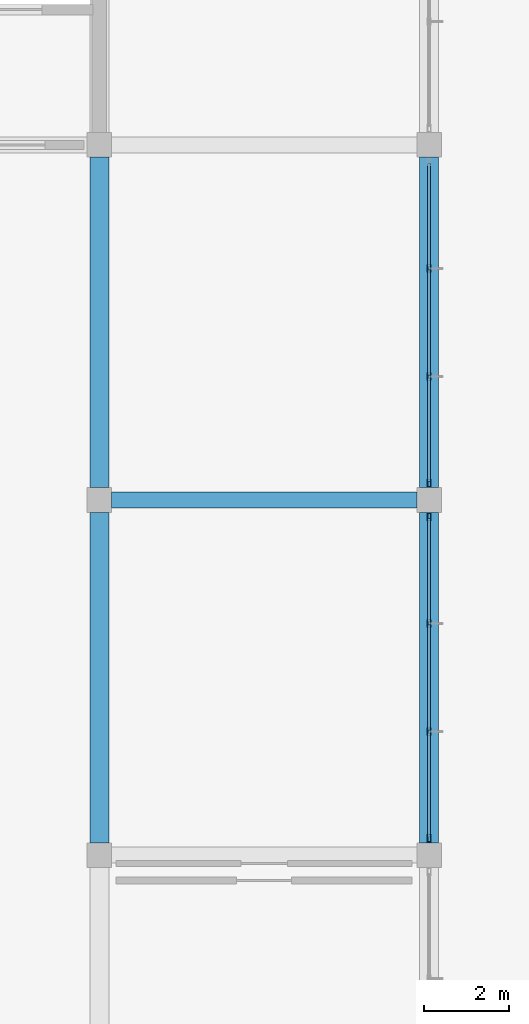
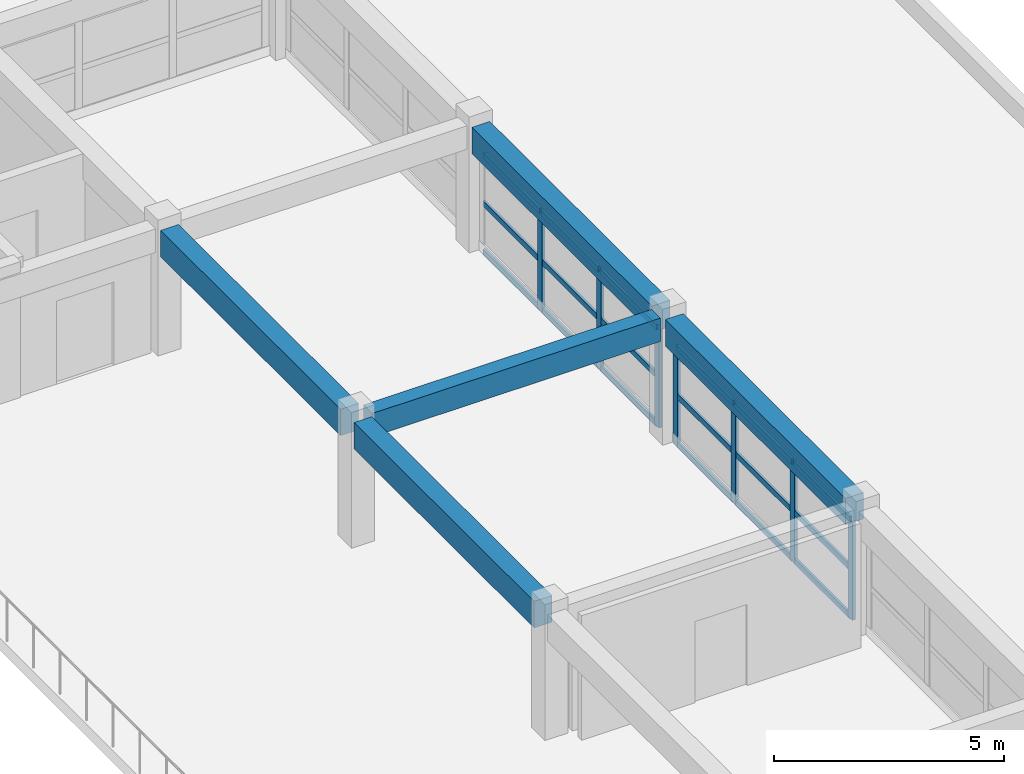
# One storey, part 64 of 101: 25 members, 5 beams, 2 elements without a shape of their own.
"""IFC4 building model written with IfcOpenShell, lengths in metres."""

from ifc_helpers import new_model, si_unit, direction, frame, origin, origin_2d, place, context, subcontext, project, spatial, rectangle, hollow_rectangle, extrude, material, layer, layer_set, material_profile, profile_set, type_object, element, aggregate, save


model = new_model("IFC4")

# Units and contexts
model_context = context("Model", 3, precision=1e-05, world=origin(), true_north=direction((0.0, 1.0)))
body_context = subcontext(model_context, "Body", "Model", "MODEL_VIEW")
ifc_project = project(units=[si_unit("LENGTHUNIT", "METRE"), si_unit("AREAUNIT", "SQUARE_METRE"), si_unit("VOLUMEUNIT", "CUBIC_METRE"), si_unit("PLANEANGLEUNIT", "RADIAN"), si_unit("MASSUNIT", "GRAM", prefix="KILO")], contexts=[model_context])

# Site, building, storey
site_placement = place(None, origin())
site = spatial("IfcSite", under=ifc_project, at=site_placement, CompositionType="ELEMENT")
building_placement = place(site_placement, origin())
building = spatial("IfcBuilding", under=site, at=building_placement, Name="Zizhar Promenade General Hospital", CompositionType="ELEMENT")
storey_placement = place(building_placement, frame((0.0, 0.0, 14.39990234375)))
storey = spatial("IfcBuildingStorey", under=building, at=storey_placement, Name="L03", CompositionType="ELEMENT", Elevation=14.39990234375)

# Beams
ifc_material_1 = material(Name="Concrete C35/45", Category="concrete")
ifc_material_profile_1 = material_profile(ifc_material_1, rectangle(XDim=0.3798828125, YDim=0.6201171875, at=origin_2d()))
ifc_profile_set_1 = profile_set([ifc_material_profile_1], Name="Concrete C35/45")
beam_type_1 = type_object("IfcBeamType", Name="BM-RC-380x620", PredefinedType="JOIST", material=ifc_profile_set_1)
beam_placement = place(storey_placement, frame((179.68994140625, 84.0, 3.0), z_axis=(1.0, 0.0, 0.0), x_axis=(0.0, 1.0, 0.0)))
element("IfcBeam", 1, at=beam_placement, inside=storey, type_object=beam_type_1, Name="Grid Beam X L03 (23-10)", PredefinedType="JOIST", context=body_context, shape_type="SweptSolid", body=[
    extrude(rectangle(XDim=0.3798828125, YDim=0.6201171875, at=origin_2d()), origin(), (0.0, 0.0, 1.0), 7.219970703125),
])
ifc_material_2 = material(Name="Concrete C35/45", Category="concrete")
ifc_material_profile_2 = material_profile(ifc_material_2, rectangle(XDim=0.449951171875, YDim=0.699951171875, at=origin_2d()))
ifc_profile_set_2 = profile_set([ifc_material_profile_2], Name="Concrete C35/45")
beam_type_2 = type_object("IfcBeamType", Name="BM-RC-450x700", PredefinedType="BEAM", material=ifc_profile_set_2)
for number, where, z_axis, x_axis, name in (
    (2, (179.39990234375, 75.889892578125, 2.960205078125), (0.0, 1.0, 0.0), (-1.0, 0.0, 0.0), "Grid Beam Y L03 (23-9)"),
    (3, (179.39990234375, 84.2900390625, 2.960205078125), (0.0, 1.0, 0.0), (-1.0, 0.0, 0.0), "Grid Beam Y L03 (23-10)"),
    (4, (187.199951171875, 75.889892578125, 2.960205078125), (0.0, 1.0, 0.0), (-1.0, 0.0, 0.0), "Grid Beam Y L03 (24-9)"),
    (5, (187.199951171875, 84.2900390625, 2.960205078125), (0.0, 1.0, 0.0), (-1.0, 0.0, 0.0), "Grid Beam Y L03 (24-10)"),
):
    element("IfcBeam", number, at=place(storey_placement, frame(where, z_axis=z_axis, x_axis=x_axis)), inside=storey, type_object=beam_type_2, Name=name, PredefinedType="BEAM", context=body_context, shape_type="SweptSolid", body=[
        extrude(rectangle(XDim=0.449951171875, YDim=0.699951171875, at=origin_2d()), origin(), (0.0, 0.0, 1.0), 7.820068359375),
    ])

# Curtain wall, members
ifc_material_3 = material(Name="Anodised aluminium 6063-T6 and low-E glass", Category="aluminium")
ifc_layer = layer(ifc_material_3, 0.159912109375)
ifc_layer_set = layer_set([ifc_layer], Name="Anodised aluminium 6063-T6 and low-E glass")
curtain_wall_type = type_object("IfcCurtainWallType", Name="CW-CLN-L03", PredefinedType="NOTDEFINED", material=ifc_layer_set)
curtain_wall_1_placement = place(storey_placement, origin())
curtain_wall_1 = element("IfcCurtainWall", 6, at=curtain_wall_1_placement, inside=storey, type_object=curtain_wall_type, Name="L03 Clinic Pavilion East Glazing 9", PredefinedType="NOTDEFINED")
ifc_material_4 = material(Name="Anodised aluminium 6063-T6", Category="aluminium")
ifc_material_profile_3 = material_profile(ifc_material_4, hollow_rectangle(XDim=0.080078125, YDim=0.179931640625, WallThickness=0.0048828125, at=origin_2d()))
ifc_profile_set_3 = profile_set([ifc_material_profile_3], Name="Anodised aluminium 6063-T6")
member_type_1 = type_object("IfcMemberType", Name="CWM-ALU-180x80", PredefinedType="MULLION", material=ifc_profile_set_3)
member_1_placement = place(storey_placement, frame((187.199951171875, 83.60009765625, 0.0), z_axis=(0.0, 0.0, 1.0), x_axis=(1.0, 0.0, 0.0)))
member_1 = element("IfcMember", 7, at=member_1_placement, type_object=member_type_1, Name="CW-11 mullion 1", PredefinedType="MULLION", context=body_context, shape_type="SweptSolid", body=[
    extrude(hollow_rectangle(XDim=0.080078125, YDim=0.179931640625, WallThickness=0.0048828125, at=origin_2d()), origin(), (0.0, 0.0, 1.0), 2.6201171875),
])
member_2_placement = place(storey_placement, frame((187.199951171875, 81.080078125, 0.0), z_axis=(0.0, 0.0, 1.0), x_axis=(1.0, 0.0, 0.0)))
member_2 = element("IfcMember", 8, at=member_2_placement, type_object=member_type_1, Name="CW-11 mullion 2", PredefinedType="MULLION", context=body_context, shape_type="SweptSolid", body=[
    extrude(hollow_rectangle(XDim=0.080078125, YDim=0.179931640625, WallThickness=0.0048828125, at=origin_2d()), origin(), (0.0, 0.0, 1.0), 2.6201171875),
])
member_3_placement = place(storey_placement, frame((187.199951171875, 78.52001953125, 0.0), z_axis=(0.0, 0.0, 1.0), x_axis=(1.0, 0.0, 0.0)))
member_3 = element("IfcMember", 9, at=member_3_placement, type_object=member_type_1, Name="CW-11 mullion 3", PredefinedType="MULLION", context=body_context, shape_type="SweptSolid", body=[
    extrude(hollow_rectangle(XDim=0.080078125, YDim=0.179931640625, WallThickness=0.0048828125, at=origin_2d()), origin(), (0.0, 0.0, 1.0), 2.6201171875),
])
member_4_placement = place(storey_placement, frame((187.199951171875, 76.0, 0.0), z_axis=(0.0, 0.0, 1.0), x_axis=(1.0, 0.0, 0.0)))
member_4 = element("IfcMember", 10, at=member_4_placement, type_object=member_type_1, Name="CW-11 mullion 4", PredefinedType="MULLION", context=body_context, shape_type="SweptSolid", body=[
    extrude(hollow_rectangle(XDim=0.080078125, YDim=0.179931640625, WallThickness=0.0048828125, at=origin_2d()), origin(), (0.0, 0.0, 1.0), 2.6201171875),
])

curtain_wall_2_placement = place(storey_placement, origin())
curtain_wall_2 = element("IfcCurtainWall", 11, at=curtain_wall_2_placement, inside=storey, type_object=curtain_wall_type, Name="L03 Clinic Pavilion East Glazing 10", PredefinedType="NOTDEFINED")
member_5_placement = place(storey_placement, frame((187.199951171875, 89.47998046875, 0.0), z_axis=(0.0, 0.0, 1.0), x_axis=(1.0, 0.0, 0.0)))
member_5 = element("IfcMember", 12, at=member_5_placement, type_object=member_type_1, Name="CW-11 mullion 2", PredefinedType="MULLION", context=body_context, shape_type="SweptSolid", body=[
    extrude(hollow_rectangle(XDim=0.080078125, YDim=0.179931640625, WallThickness=0.0048828125, at=origin_2d()), origin(), (0.0, 0.0, 1.0), 2.6201171875),
])
member_6_placement = place(storey_placement, frame((187.199951171875, 86.919921875, 0.0), z_axis=(0.0, 0.0, 1.0), x_axis=(1.0, 0.0, 0.0)))
member_6 = element("IfcMember", 13, at=member_6_placement, type_object=member_type_1, Name="CW-11 mullion 3", PredefinedType="MULLION", context=body_context, shape_type="SweptSolid", body=[
    extrude(hollow_rectangle(XDim=0.080078125, YDim=0.179931640625, WallThickness=0.0048828125, at=origin_2d()), origin(), (0.0, 0.0, 1.0), 2.6201171875),
])
member_7_placement = place(storey_placement, frame((187.199951171875, 84.39990234375, 0.0), z_axis=(0.0, 0.0, 1.0), x_axis=(1.0, 0.0, 0.0)))
member_7 = element("IfcMember", 14, at=member_7_placement, type_object=member_type_1, Name="CW-11 mullion 4", PredefinedType="MULLION", context=body_context, shape_type="SweptSolid", body=[
    extrude(hollow_rectangle(XDim=0.080078125, YDim=0.179931640625, WallThickness=0.0048828125, at=origin_2d()), origin(), (0.0, 0.0, 1.0), 2.6201171875),
])

# Member
ifc_material_5 = material(Name="Anodised aluminium 6063-T6", Category="aluminium")
ifc_material_profile_4 = material_profile(ifc_material_5, hollow_rectangle(XDim=0.06005859375, YDim=0.14990234375, WallThickness=0.00390625, at=origin_2d()))
ifc_profile_set_4 = profile_set([ifc_material_profile_4], Name="Anodised aluminium 6063-T6")
member_type_2 = type_object("IfcMemberType", Name="CWT-ALU-150x60", PredefinedType="USERDEFINED", material=ifc_profile_set_4)
member_8_placement = place(storey_placement, frame((187.199951171875, 83.56005859375, 0.030029296875), z_axis=(0.0, -1.0, 0.0), x_axis=(1.0, 0.0, 0.0)))
member_8 = element("IfcMember", 15, at=member_8_placement, type_object=member_type_2, Name="CW-11 transom 1.1", ObjectType="TRANSOM", PredefinedType="USERDEFINED", context=body_context, shape_type="SweptSolid", body=[
    extrude(hollow_rectangle(XDim=0.06005859375, YDim=0.14990234375, WallThickness=0.00390625, at=origin_2d()), origin(), (0.0, 0.0, 1.0), 2.43994140625),
])

member_9_placement = place(storey_placement, frame((187.199951171875, 83.56005859375, 1.31005859375), z_axis=(0.0, -1.0, 0.0), x_axis=(1.0, 0.0, 0.0)))
member_9 = element("IfcMember", 16, at=member_9_placement, type_object=member_type_2, Name="CW-11 transom 1.2", ObjectType="TRANSOM", PredefinedType="USERDEFINED", context=body_context, shape_type="SweptSolid", body=[
    extrude(hollow_rectangle(XDim=0.06005859375, YDim=0.14990234375, WallThickness=0.00390625, at=origin_2d()), origin(), (0.0, 0.0, 1.0), 2.43994140625),
])

member_10_placement = place(storey_placement, frame((187.199951171875, 83.56005859375, 2.590087890625), z_axis=(0.0, -1.0, 0.0), x_axis=(1.0, 0.0, 0.0)))
member_10 = element("IfcMember", 17, at=member_10_placement, type_object=member_type_2, Name="CW-11 transom 1.3", ObjectType="TRANSOM", PredefinedType="USERDEFINED", context=body_context, shape_type="SweptSolid", body=[
    extrude(hollow_rectangle(XDim=0.06005859375, YDim=0.14990234375, WallThickness=0.00390625, at=origin_2d()), origin(), (0.0, 0.0, 1.0), 2.43994140625),
])

member_11_placement = place(storey_placement, frame((187.199951171875, 81.0400390625, 0.030029296875), z_axis=(0.0, -1.0, 0.0), x_axis=(1.0, 0.0, 0.0)))
member_11 = element("IfcMember", 18, at=member_11_placement, type_object=member_type_2, Name="CW-11 transom 2.1", ObjectType="TRANSOM", PredefinedType="USERDEFINED", context=body_context, shape_type="SweptSolid", body=[
    extrude(hollow_rectangle(XDim=0.06005859375, YDim=0.14990234375, WallThickness=0.00390625, at=origin_2d()), origin(), (0.0, 0.0, 1.0), 2.47998046875),
])

member_12_placement = place(storey_placement, frame((187.199951171875, 81.0400390625, 1.31005859375), z_axis=(0.0, -1.0, 0.0), x_axis=(1.0, 0.0, 0.0)))
member_12 = element("IfcMember", 19, at=member_12_placement, type_object=member_type_2, Name="CW-11 transom 2.2", ObjectType="TRANSOM", PredefinedType="USERDEFINED", context=body_context, shape_type="SweptSolid", body=[
    extrude(hollow_rectangle(XDim=0.06005859375, YDim=0.14990234375, WallThickness=0.00390625, at=origin_2d()), origin(), (0.0, 0.0, 1.0), 2.47998046875),
])

member_13_placement = place(storey_placement, frame((187.199951171875, 81.0400390625, 2.590087890625), z_axis=(0.0, -1.0, 0.0), x_axis=(1.0, 0.0, 0.0)))
member_13 = element("IfcMember", 20, at=member_13_placement, type_object=member_type_2, Name="CW-11 transom 2.3", ObjectType="TRANSOM", PredefinedType="USERDEFINED", context=body_context, shape_type="SweptSolid", body=[
    extrude(hollow_rectangle(XDim=0.06005859375, YDim=0.14990234375, WallThickness=0.00390625, at=origin_2d()), origin(), (0.0, 0.0, 1.0), 2.47998046875),
])

member_14_placement = place(storey_placement, frame((187.199951171875, 78.47998046875, 0.030029296875), z_axis=(0.0, -1.0, 0.0), x_axis=(1.0, 0.0, 0.0)))
member_14 = element("IfcMember", 21, at=member_14_placement, type_object=member_type_2, Name="CW-11 transom 3.1", ObjectType="TRANSOM", PredefinedType="USERDEFINED", context=body_context, shape_type="SweptSolid", body=[
    extrude(hollow_rectangle(XDim=0.06005859375, YDim=0.14990234375, WallThickness=0.00390625, at=origin_2d()), origin(), (0.0, 0.0, 1.0), 2.43994140625),
])

member_15_placement = place(storey_placement, frame((187.199951171875, 78.47998046875, 1.31005859375), z_axis=(0.0, -1.0, 0.0), x_axis=(1.0, 0.0, 0.0)))
member_15 = element("IfcMember", 22, at=member_15_placement, type_object=member_type_2, Name="CW-11 transom 3.2", ObjectType="TRANSOM", PredefinedType="USERDEFINED", context=body_context, shape_type="SweptSolid", body=[
    extrude(hollow_rectangle(XDim=0.06005859375, YDim=0.14990234375, WallThickness=0.00390625, at=origin_2d()), origin(), (0.0, 0.0, 1.0), 2.43994140625),
])

member_16_placement = place(storey_placement, frame((187.199951171875, 78.47998046875, 2.590087890625), z_axis=(0.0, -1.0, 0.0), x_axis=(1.0, 0.0, 0.0)))
member_16 = element("IfcMember", 23, at=member_16_placement, type_object=member_type_2, Name="CW-11 transom 3.3", ObjectType="TRANSOM", PredefinedType="USERDEFINED", context=body_context, shape_type="SweptSolid", body=[
    extrude(hollow_rectangle(XDim=0.06005859375, YDim=0.14990234375, WallThickness=0.00390625, at=origin_2d()), origin(), (0.0, 0.0, 1.0), 2.43994140625),
])

aggregate(curtain_wall_1, [member_1, member_2, member_3, member_4, member_8, member_9, member_10, member_11, member_12, member_13, member_14, member_15, member_16])

member_17_placement = place(storey_placement, frame((187.199951171875, 91.9599609375, 0.030029296875), z_axis=(0.0, -1.0, 0.0), x_axis=(1.0, 0.0, 0.0)))
member_17 = element("IfcMember", 24, at=member_17_placement, type_object=member_type_2, Name="CW-11 transom 1.1", ObjectType="TRANSOM", PredefinedType="USERDEFINED", context=body_context, shape_type="SweptSolid", body=[
    extrude(hollow_rectangle(XDim=0.06005859375, YDim=0.14990234375, WallThickness=0.00390625, at=origin_2d()), origin(), (0.0, 0.0, 1.0), 2.43994140625),
])

member_18_placement = place(storey_placement, frame((187.199951171875, 91.9599609375, 1.31005859375), z_axis=(0.0, -1.0, 0.0), x_axis=(1.0, 0.0, 0.0)))
member_18 = element("IfcMember", 25, at=member_18_placement, type_object=member_type_2, Name="CW-11 transom 1.2", ObjectType="TRANSOM", PredefinedType="USERDEFINED", context=body_context, shape_type="SweptSolid", body=[
    extrude(hollow_rectangle(XDim=0.06005859375, YDim=0.14990234375, WallThickness=0.00390625, at=origin_2d()), origin(), (0.0, 0.0, 1.0), 2.43994140625),
])

member_19_placement = place(storey_placement, frame((187.199951171875, 91.9599609375, 2.590087890625), z_axis=(0.0, -1.0, 0.0), x_axis=(1.0, 0.0, 0.0)))
member_19 = element("IfcMember", 26, at=member_19_placement, type_object=member_type_2, Name="CW-11 transom 1.3", ObjectType="TRANSOM", PredefinedType="USERDEFINED", context=body_context, shape_type="SweptSolid", body=[
    extrude(hollow_rectangle(XDim=0.06005859375, YDim=0.14990234375, WallThickness=0.00390625, at=origin_2d()), origin(), (0.0, 0.0, 1.0), 2.43994140625),
])

member_20_placement = place(storey_placement, frame((187.199951171875, 89.43994140625, 0.030029296875), z_axis=(0.0, -1.0, 0.0), x_axis=(1.0, 0.0, 0.0)))
member_20 = element("IfcMember", 27, at=member_20_placement, type_object=member_type_2, Name="CW-11 transom 2.1", ObjectType="TRANSOM", PredefinedType="USERDEFINED", context=body_context, shape_type="SweptSolid", body=[
    extrude(hollow_rectangle(XDim=0.06005859375, YDim=0.14990234375, WallThickness=0.00390625, at=origin_2d()), origin(), (0.0, 0.0, 1.0), 2.47998046875),
])

member_21_placement = place(storey_placement, frame((187.199951171875, 89.43994140625, 1.31005859375), z_axis=(0.0, -1.0, 0.0), x_axis=(1.0, 0.0, 0.0)))
member_21 = element("IfcMember", 28, at=member_21_placement, type_object=member_type_2, Name="CW-11 transom 2.2", ObjectType="TRANSOM", PredefinedType="USERDEFINED", context=body_context, shape_type="SweptSolid", body=[
    extrude(hollow_rectangle(XDim=0.06005859375, YDim=0.14990234375, WallThickness=0.00390625, at=origin_2d()), origin(), (0.0, 0.0, 1.0), 2.47998046875),
])

member_22_placement = place(storey_placement, frame((187.199951171875, 89.43994140625, 2.590087890625), z_axis=(0.0, -1.0, 0.0), x_axis=(1.0, 0.0, 0.0)))
member_22 = element("IfcMember", 29, at=member_22_placement, type_object=member_type_2, Name="CW-11 transom 2.3", ObjectType="TRANSOM", PredefinedType="USERDEFINED", context=body_context, shape_type="SweptSolid", body=[
    extrude(hollow_rectangle(XDim=0.06005859375, YDim=0.14990234375, WallThickness=0.00390625, at=origin_2d()), origin(), (0.0, 0.0, 1.0), 2.47998046875),
])

member_23_placement = place(storey_placement, frame((187.199951171875, 86.8798828125, 0.030029296875), z_axis=(0.0, -1.0, 0.0), x_axis=(1.0, 0.0, 0.0)))
member_23 = element("IfcMember", 30, at=member_23_placement, type_object=member_type_2, Name="CW-11 transom 3.1", ObjectType="TRANSOM", PredefinedType="USERDEFINED", context=body_context, shape_type="SweptSolid", body=[
    extrude(hollow_rectangle(XDim=0.06005859375, YDim=0.14990234375, WallThickness=0.00390625, at=origin_2d()), origin(), (0.0, 0.0, 1.0), 2.43994140625),
])

member_24_placement = place(storey_placement, frame((187.199951171875, 86.8798828125, 1.31005859375), z_axis=(0.0, -1.0, 0.0), x_axis=(1.0, 0.0, 0.0)))
member_24 = element("IfcMember", 31, at=member_24_placement, type_object=member_type_2, Name="CW-11 transom 3.2", ObjectType="TRANSOM", PredefinedType="USERDEFINED", context=body_context, shape_type="SweptSolid", body=[
    extrude(hollow_rectangle(XDim=0.06005859375, YDim=0.14990234375, WallThickness=0.00390625, at=origin_2d()), origin(), (0.0, 0.0, 1.0), 2.43994140625),
])

member_25_placement = place(storey_placement, frame((187.199951171875, 86.8798828125, 2.590087890625), z_axis=(0.0, -1.0, 0.0), x_axis=(1.0, 0.0, 0.0)))
member_25 = element("IfcMember", 32, at=member_25_placement, type_object=member_type_2, Name="CW-11 transom 3.3", ObjectType="TRANSOM", PredefinedType="USERDEFINED", context=body_context, shape_type="SweptSolid", body=[
    extrude(hollow_rectangle(XDim=0.06005859375, YDim=0.14990234375, WallThickness=0.00390625, at=origin_2d()), origin(), (0.0, 0.0, 1.0), 2.43994140625),
])

aggregate(curtain_wall_2, [member_5, member_6, member_7, member_17, member_18, member_19, member_20, member_21, member_22, member_23, member_24, member_25])

save(model, "model.ifc")
